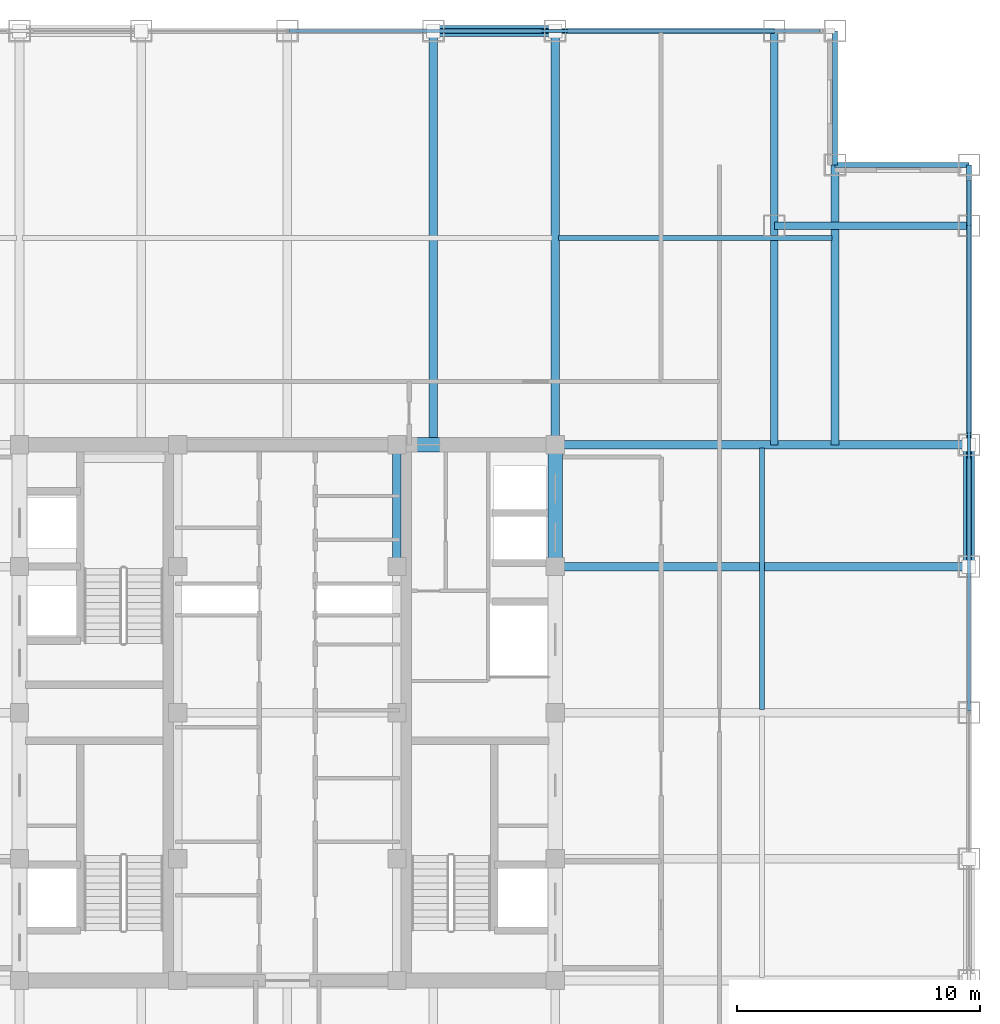
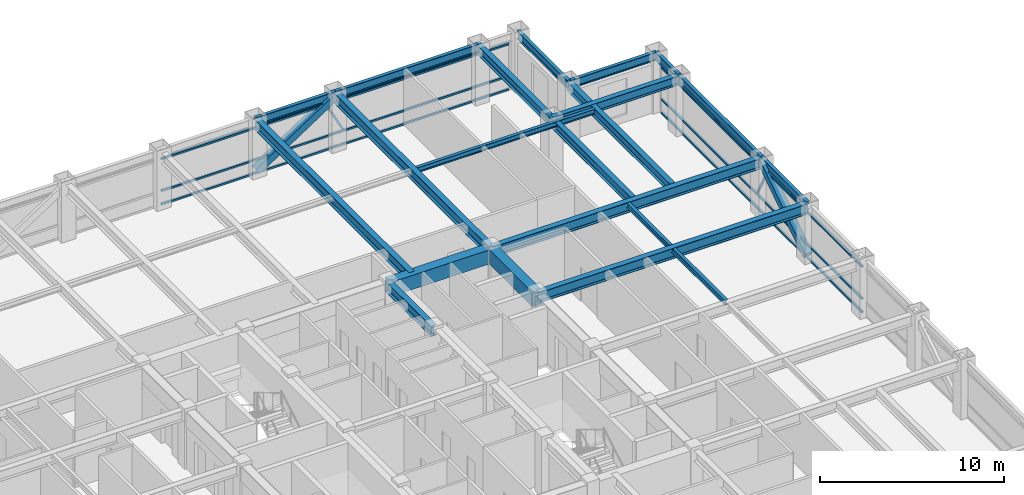
# One storey, part 15 of 22: 19 beams, 10 members, 2 elements without a shape of their own.
"""IFC4 building model written with IfcOpenShell, lengths in metres."""

from ifc_helpers import new_model, si_unit, direction, frame, origin, origin_2d, place, context, subcontext, project, spatial, rectangle, hollow_rectangle, i_section, extrude, source, transform, mapped, material, material_profile, profile_set, type_object, element, aggregate, save


model = new_model("IFC4")

# Units and contexts
model_context = context("Model", 3, precision=1e-05, world=origin(), true_north=direction((0.0, 1.0)))
body_context = subcontext(model_context, "Body", "Model", "MODEL_VIEW")
ifc_project = project(units=[si_unit("LENGTHUNIT", "METRE"), si_unit("AREAUNIT", "SQUARE_METRE"), si_unit("VOLUMEUNIT", "CUBIC_METRE"), si_unit("PLANEANGLEUNIT", "RADIAN"), si_unit("MASSUNIT", "GRAM", prefix="KILO")], contexts=[model_context])

# Site, building, storey
site_placement = place(None, origin())
site = spatial("IfcSite", under=ifc_project, at=site_placement, CompositionType="ELEMENT")
building_placement = place(site_placement, origin())
building = spatial("IfcBuilding", under=site, at=building_placement, Name="Khorayat Bourse Tower", CompositionType="ELEMENT")
storey_placement = place(building_placement, frame((0.0, 0.0, 293.5)))
storey = spatial("IfcBuildingStorey", under=building, at=storey_placement, Name="L69", CompositionType="ELEMENT", Elevation=293.5)

# Beams
ifc_material_1 = material(Name="Steel ASTM A992 Grade 50", Category="steel")
ifc_material_profile_1 = material_profile(ifc_material_1, i_section(OverallWidth=0.35498046875, OverallDepth=0.695068359375, WebThickness=0.015380859375, FlangeThickness=0.02490234375, FilletRadius=0.01806640625, at=origin_2d()), Name="W690X217")
ifc_profile_set_1 = profile_set([ifc_material_profile_1], Name="Steel ASTM A992 Grade 50")
beam_type_1 = type_object("IfcBeamType", Name="BM-GIRD-690", PredefinedType="BEAM", material=ifc_profile_set_1)
shared_shape_1 = source(origin(), body_context, "Body", "SweptSolid", [
    extrude(i_section(OverallWidth=0.35498046875, OverallDepth=0.695068359375, WebThickness=0.015380859375, FlangeThickness=0.02490234375, FilletRadius=0.01806640625, at=origin_2d()), origin(), (0.0, 0.0, 1.0), 5.0),
])
beam_1_placement = place(storey_placement, frame((4.5, 6.0, 3.4326171875), z_axis=(0.0, 1.0, 0.0), x_axis=(-1.0, 0.0, 0.0)))
element("IfcBeam", 1, at=beam_1_placement, inside=storey, type_object=beam_type_1, Name="L69 BM-GIRD-690 BM-L69-CRX-12", PredefinedType="BEAM", context=body_context, shape_type="MappedRepresentation", body=[
    mapped(shared_shape_1, transform((0.0, 0.0, 0.0), scale=1.0)),
])
ifc_material_profile_2 = material_profile(ifc_material_1, i_section(OverallWidth=0.324951171875, OverallDepth=0.615966796875, WebThickness=0.013916015625, FlangeThickness=0.021484375, FilletRadius=0.01611328125, at=origin_2d()), Name="W610X174")
ifc_profile_set_2 = profile_set([ifc_material_profile_2], Name="Steel ASTM A992 Grade 50")
beam_type_2 = type_object("IfcBeamType", Name="BM-GIRD-610", PredefinedType="BEAM", material=ifc_profile_set_2)
shared_shape_2 = source(origin(), body_context, "Body", "SweptSolid", [
    extrude(i_section(OverallWidth=0.324951171875, OverallDepth=0.615966796875, WebThickness=0.013916015625, FlangeThickness=0.021484375, FilletRadius=0.01611328125, at=origin_2d()), origin(), (0.0, 0.0, 1.0), 17.0),
])
beam_2_placement = place(storey_placement, frame((20.0, 11.0, 3.471923828125), z_axis=(0.0, 1.0, 0.0), x_axis=(-1.0, 0.0, 0.0)))
element("IfcBeam", 2, at=beam_2_placement, inside=storey, type_object=beam_type_2, Name="L69 BM-GIRD-610 BM-L69-CNRY-087", PredefinedType="BEAM", context=body_context, shape_type="MappedRepresentation", body=[
    mapped(shared_shape_2, transform((0.0, 0.0, 0.0), scale=1.0)),
])
ifc_material_2 = material(Name="Concrete C60/75", Category="concrete")
ifc_material_profile_3 = material_profile(ifc_material_2, rectangle(XDim=0.60009765625, YDim=0.949951171875, at=origin_2d()), Name="RC 600x950")
ifc_profile_set_3 = profile_set([ifc_material_profile_3], Name="Concrete C60/75")
beam_type_3 = type_object("IfcBeamType", Name="BM-COUP-950", PredefinedType="BEAM", material=ifc_profile_set_3)
shared_shape_3 = source(origin(), body_context, "Body", "SweptSolid", [
    extrude(rectangle(XDim=0.60009765625, YDim=0.949951171875, at=origin_2d()), origin(), (0.0, 0.0, 1.0), 5.0),
])
beam_3_placement = place(storey_placement, frame((11.0, 6.0, 3.304931640625), z_axis=(0.0, 1.0, 0.0), x_axis=(-1.0, 0.0, 0.0)))
element("IfcBeam", 3, at=beam_3_placement, inside=storey, type_object=beam_type_3, Name="L69 BM-COUP-950 BM-L69-CRX-16", PredefinedType="BEAM", context=body_context, shape_type="MappedRepresentation", body=[
    mapped(shared_shape_3, transform((0.0, 0.0, 0.0), scale=1.0)),
])
shared_shape_4 = source(origin(), body_context, "Body", "SweptSolid", [
    extrude(rectangle(XDim=0.60009765625, YDim=0.949951171875, at=origin_2d()), origin(), (0.0, 0.0, 1.0), 6.5),
])
beam_4_placement = place(storey_placement, frame((4.5, 11.0, 3.304931640625), z_axis=(1.0, 0.0, 0.0), x_axis=(0.0, 1.0, 0.0)))
element("IfcBeam", 4, at=beam_4_placement, inside=storey, type_object=beam_type_3, Name="L69 BM-COUP-950 BM-L69-CRY-22", PredefinedType="BEAM", context=body_context, shape_type="MappedRepresentation", body=[
    mapped(shared_shape_4, transform((0.0, 0.0, 0.0), scale=1.0)),
])

# Members
ifc_material_3 = material(Name="Steel EN 10025-4 S460M", Category="steel")
ifc_material_profile_4 = material_profile(ifc_material_3, hollow_rectangle(XDim=0.449951171875, YDim=0.449951171875, WallThickness=0.02490234375, at=origin_2d()), Name="HSS 450x450x25")
ifc_profile_set_4 = profile_set([ifc_material_profile_4], Name="Steel EN 10025-4 S460M")
member_type_1 = type_object("IfcMemberType", Name="MBR-TUBE-450", PredefinedType="BRACE", material=ifc_profile_set_4)
shared_shape_5 = source(origin(), body_context, "Body", "SweptSolid", [
    extrude(hollow_rectangle(XDim=0.449951171875, YDim=0.449951171875, WallThickness=0.02490234375, at=origin_2d()), origin(), (0.0, 0.0, 1.0), 5.979736328125),
])
for number, where, z_axis, x_axis, name in (
    (5, (6.0, 28.0, 0.25), (0.836141536525, 0.0, 0.548513747227), (0.0, 1.0, 0.0), "L69 Perimeter Tube Brace 04"),
    (6, (28.0, 6.0, 0.25), (0.0, 0.836141536525, 0.548513747227), (-1.0, 0.0, 0.0), "L69 Perimeter Tube Brace 08"),
):
    element("IfcMember", number, at=place(storey_placement, frame(where, z_axis=z_axis, x_axis=x_axis)), inside=storey, type_object=member_type_1, Name=name, PredefinedType="BRACE", context=body_context, shape_type="MappedRepresentation", body=[
        mapped(shared_shape_5, transform((0.0, 0.0, 0.0), scale=1.0)),
    ])

# Beams
shared_shape_6 = source(origin(), body_context, "Body", "SweptSolid", [
    extrude(i_section(OverallWidth=0.35498046875, OverallDepth=0.695068359375, WebThickness=0.015380859375, FlangeThickness=0.02490234375, FilletRadius=0.01806640625, at=origin_2d()), origin(), (0.0, 0.0, 1.0), 17.0),
])
for number, where, z_axis, x_axis, name in (
    (7, (6.0, 11.0, 3.4326171875), (0.0, 1.0, 0.0), (-1.0, 0.0, 0.0), "L69 BM-GIRD-690 BM-L69-RADY-070"),
    (8, (11.0, 11.0, 3.4326171875), (0.0, 1.0, 0.0), (-1.0, 0.0, 0.0), "L69 BM-GIRD-690 BM-L69-RADY-072"),
    (9, (11.0, 6.0, 3.4326171875), (1.0, 0.0, 0.0), (0.0, 1.0, 0.0), "L69 BM-GIRD-690 BM-L69-RADX-080"),
    (10, (11.0, 11.0, 3.4326171875), (1.0, 0.0, 0.0), (0.0, 1.0, 0.0), "L69 BM-GIRD-690 BM-L69-RADX-082"),
):
    element("IfcBeam", number, at=place(storey_placement, frame(where, z_axis=z_axis, x_axis=x_axis)), inside=storey, type_object=beam_type_1, Name=name, PredefinedType="BEAM", context=body_context, shape_type="MappedRepresentation", body=[
        mapped(shared_shape_6, transform((0.0, 0.0, 0.0), scale=1.0)),
    ])
shared_shape_7 = source(origin(), body_context, "Body", "SweptSolid", [
    extrude(i_section(OverallWidth=0.324951171875, OverallDepth=0.615966796875, WebThickness=0.013916015625, FlangeThickness=0.021484375, FilletRadius=0.01611328125, at=origin_2d()), origin(), (0.0, 0.0, 1.0), 11.5),
])
beam_5_placement = place(storey_placement, frame((22.5, 11.0, 3.471923828125), z_axis=(0.0, 1.0, 0.0), x_axis=(-1.0, 0.0, 0.0)))
element("IfcBeam", 11, at=beam_5_placement, inside=storey, type_object=beam_type_2, Name="L69 BM-GIRD-610 BM-L69-CNRY-091", PredefinedType="BEAM", context=body_context, shape_type="MappedRepresentation", body=[
    mapped(shared_shape_7, transform((0.0, 0.0, 0.0), scale=1.0)),
])
shared_shape_8 = source(origin(), body_context, "Body", "SweptSolid", [
    extrude(i_section(OverallWidth=0.324951171875, OverallDepth=0.615966796875, WebThickness=0.013916015625, FlangeThickness=0.021484375, FilletRadius=0.01611328125, at=origin_2d()), origin(), (0.0, 0.0, 1.0), 8.0),
])
beam_6_placement = place(storey_placement, frame((20.0, 20.0, 3.471923828125), z_axis=(1.0, 0.0, 0.0), x_axis=(0.0, 1.0, 0.0)))
element("IfcBeam", 12, at=beam_6_placement, inside=storey, type_object=beam_type_2, Name="L69 BM-GIRD-610 BM-L69-CNRX-094", PredefinedType="BEAM", context=body_context, shape_type="MappedRepresentation", body=[
    mapped(shared_shape_8, transform((0.0, 0.0, 0.0), scale=1.0)),
])
ifc_material_profile_5 = material_profile(ifc_material_1, i_section(OverallWidth=0.202880859375, OverallDepth=0.346923828125, WebThickness=0.0078125, FlangeThickness=0.013427734375, FilletRadius=0.010009765625, at=origin_2d()), Name="W360X64")
ifc_profile_set_5 = profile_set([ifc_material_profile_5], Name="Steel ASTM A992 Grade 50")
beam_type_4 = type_object("IfcBeamType", Name="BM-JOIST-360", PredefinedType="JOIST", material=ifc_profile_set_5)
shared_shape_9 = source(origin(), body_context, "Body", "SweptSolid", [
    extrude(i_section(OverallWidth=0.202880859375, OverallDepth=0.346923828125, WebThickness=0.0078125, FlangeThickness=0.013427734375, FilletRadius=0.010009765625, at=origin_2d()), origin(), (0.0, 0.0, 1.0), 11.240234375),
])
beam_7_placement = place(storey_placement, frame((11.1298828125, 19.5, 3.6064453125), z_axis=(1.0, 0.0, 0.0), x_axis=(0.0, 1.0, 0.0)))
element("IfcBeam", 13, at=beam_7_placement, inside=storey, type_object=beam_type_4, Name="L69 BM-JOIST-360 BM-L69-JSTX-101", PredefinedType="JOIST", context=body_context, shape_type="MappedRepresentation", body=[
    mapped(shared_shape_9, transform((0.0, 0.0, 0.0), scale=1.0)),
])
shared_shape_10 = source(origin(), body_context, "Body", "SweptSolid", [
    extrude(i_section(OverallWidth=0.202880859375, OverallDepth=0.346923828125, WebThickness=0.0078125, FlangeThickness=0.013427734375, FilletRadius=0.010009765625, at=origin_2d()), origin(), (0.0, 0.0, 1.0), 10.740234375),
])
beam_8_placement = place(storey_placement, frame((19.5, 0.1298828125, 3.6064453125), z_axis=(0.0, 1.0, 0.0), x_axis=(-1.0, 0.0, 0.0)))
element("IfcBeam", 14, at=beam_8_placement, inside=storey, type_object=beam_type_4, Name="L69 BM-JOIST-360 BM-L69-JSTY-105", PredefinedType="JOIST", context=body_context, shape_type="MappedRepresentation", body=[
    mapped(shared_shape_10, transform((0.0, 0.0, 0.0), scale=1.0)),
])
ifc_material_profile_6 = material_profile(ifc_material_1, i_section(OverallWidth=0.214111328125, OverallDepth=0.549072265625, WebThickness=0.0146484375, FlangeThickness=0.023681640625, FilletRadius=0.013916015625, at=origin_2d()), Name="W530X138")
ifc_profile_set_6 = profile_set([ifc_material_profile_6], Name="Steel ASTM A992 Grade 50")
beam_type_5 = type_object("IfcBeamType", Name="BM-SPAN-530", PredefinedType="SPANDREL", material=ifc_profile_set_6)
shared_shape_11 = source(origin(), body_context, "Body", "SweptSolid", [
    extrude(i_section(OverallWidth=0.214111328125, OverallDepth=0.549072265625, WebThickness=0.0146484375, FlangeThickness=0.023681640625, FilletRadius=0.013916015625, at=origin_2d()), origin(), (0.0, 0.0, 1.0), 2.5),
])
beam_9_placement = place(storey_placement, frame((28.0, 20.0, 3.505615234375), z_axis=(0.0, 1.0, 0.0), x_axis=(-1.0, 0.0, 0.0)))
element("IfcBeam", 15, at=beam_9_placement, inside=storey, type_object=beam_type_5, Name="L69 BM-SPAN-530 BM-L69-SPN-041", PredefinedType="SPANDREL", context=body_context, shape_type="MappedRepresentation", body=[
    mapped(shared_shape_11, transform((0.0, 0.0, 0.0), scale=1.0)),
])
shared_shape_12 = source(origin(), body_context, "Body", "SweptSolid", [
    extrude(i_section(OverallWidth=0.214111328125, OverallDepth=0.549072265625, WebThickness=0.0146484375, FlangeThickness=0.023681640625, FilletRadius=0.013916015625, at=origin_2d()), origin(), (0.0, 0.0, 1.0), 9.0),
])
for number, where, z_axis, x_axis, name in (
    (16, (28.0, 11.0, 3.505615234375), (0.0, 1.0, 0.0), (-1.0, 0.0, 0.0), "L69 BM-SPAN-530 BM-L69-SPN-040"),
    (17, (11.0, 28.0, 3.505615234375), (1.0, 0.0, 0.0), (0.0, 1.0, 0.0), "L69 BM-SPAN-530 BM-L69-SPN-045"),
):
    element("IfcBeam", number, at=place(storey_placement, frame(where, z_axis=z_axis, x_axis=x_axis)), inside=storey, type_object=beam_type_5, Name=name, PredefinedType="SPANDREL", context=body_context, shape_type="MappedRepresentation", body=[
        mapped(shared_shape_12, transform((0.0, 0.0, 0.0), scale=1.0)),
    ])
shared_shape_13 = source(origin(), body_context, "Body", "SweptSolid", [
    extrude(i_section(OverallWidth=0.214111328125, OverallDepth=0.549072265625, WebThickness=0.0146484375, FlangeThickness=0.023681640625, FilletRadius=0.013916015625, at=origin_2d()), origin(), (0.0, 0.0, 1.0), 5.0),
])
for number, where, z_axis, x_axis, name in (
    (18, (28.0, 6.0, 3.505615234375), (0.0, 1.0, 0.0), (-1.0, 0.0, 0.0), "L69 BM-SPAN-530 BM-L69-SPN-039"),
    (19, (6.0, 28.0, 3.505615234375), (1.0, 0.0, 0.0), (0.0, 1.0, 0.0), "L69 BM-SPAN-530 BM-L69-SPN-046"),
):
    element("IfcBeam", number, at=place(storey_placement, frame(where, z_axis=z_axis, x_axis=x_axis)), inside=storey, type_object=beam_type_5, Name=name, PredefinedType="SPANDREL", context=body_context, shape_type="MappedRepresentation", body=[
        mapped(shared_shape_13, transform((0.0, 0.0, 0.0), scale=1.0)),
    ])
shared_shape_14 = source(origin(), body_context, "Body", "SweptSolid", [
    extrude(i_section(OverallWidth=0.214111328125, OverallDepth=0.549072265625, WebThickness=0.0146484375, FlangeThickness=0.023681640625, FilletRadius=0.013916015625, at=origin_2d()), origin(), (0.0, 0.0, 1.0), 5.5),
])
for number, where, z_axis, x_axis, name in (
    (20, (22.5, 22.5, 3.505615234375), (1.0, 0.0, 0.0), (0.0, 1.0, 0.0), "L69 BM-SPAN-530 BM-L69-SPN-042"),
    (21, (22.5, 22.5, 3.505615234375), (0.0, 1.0, 0.0), (-1.0, 0.0, 0.0), "L69 BM-SPAN-530 BM-L69-SPN-043"),
):
    element("IfcBeam", number, at=place(storey_placement, frame(where, z_axis=z_axis, x_axis=x_axis)), inside=storey, type_object=beam_type_5, Name=name, PredefinedType="SPANDREL", context=body_context, shape_type="MappedRepresentation", body=[
        mapped(shared_shape_14, transform((0.0, 0.0, 0.0), scale=1.0)),
    ])

# Curtain wall, member
ifc_material_4 = material(Name="Aluminium EN AW-6063 T6", Category="aluminium")
curtain_wall_type = type_object("IfcCurtainWallType", Name="CW-SYS-04", PredefinedType="NOTDEFINED", material=ifc_material_4)
curtain_wall_1_placement = place(storey_placement, origin())
curtain_wall_1 = element("IfcCurtainWall", 22, at=curtain_wall_1_placement, inside=storey, type_object=curtain_wall_type, Name="L69 Curtain Wall CW-L69-N1", PredefinedType="NOTDEFINED")
ifc_material_profile_7 = material_profile(ifc_material_4, hollow_rectangle(XDim=0.1201171875, YDim=0.1201171875, WallThickness=0.0048828125, at=origin_2d()), Name="ALU 120x120x5")
ifc_profile_set_7 = profile_set([ifc_material_profile_7], Name="Aluminium EN AW-6063 T6")
member_type_2 = type_object("IfcMemberType", Name="CWM-DIAG-120", PredefinedType="MULLION", material=ifc_profile_set_7)
shared_shape_15 = source(origin(), body_context, "Body", "SweptSolid", [
    extrude(hollow_rectangle(XDim=0.1201171875, YDim=0.1201171875, WallThickness=0.0048828125, at=origin_2d()), origin(), (0.0, 0.0, 1.0), 2.0791015625),
])
member_1_placement = place(storey_placement, frame((11.4541015625, 28.0, 1.090087890625), z_axis=(-0.465717394116, 0.0, 0.884933505309), x_axis=(0.0, -1.0, 0.0)))
member_1 = element("IfcMember", 23, at=member_1_placement, type_object=member_type_2, Name="CW-L69-N1 Faceted Diagonal Mullion 2", PredefinedType="MULLION", context=body_context, shape_type="MappedRepresentation", body=[
    mapped(shared_shape_15, transform((0.0, 0.0, 0.0), scale=1.0)),
])

curtain_wall_2_placement = place(storey_placement, origin())
curtain_wall_2 = element("IfcCurtainWall", 24, at=curtain_wall_2_placement, inside=storey, type_object=curtain_wall_type, Name="L69 Curtain Wall CW-L69-E1", PredefinedType="NOTDEFINED")
member_2_placement = place(storey_placement, frame((28.0, 11.4541015625, 1.090087890625), z_axis=(0.0, -0.465717394116, 0.884933505309), x_axis=(1.0, 0.0, 0.0)))
member_2 = element("IfcMember", 25, at=member_2_placement, type_object=member_type_2, Name="CW-L69-E1 Faceted Diagonal Mullion 2", PredefinedType="MULLION", context=body_context, shape_type="MappedRepresentation", body=[
    mapped(shared_shape_15, transform((0.0, 0.0, 0.0), scale=1.0)),
])

# Member
ifc_material_profile_8 = material_profile(ifc_material_4, hollow_rectangle(XDim=0.1201171875, YDim=0.1201171875, WallThickness=0.0048828125, at=origin_2d()), Name="ALU 120x120x5")
ifc_profile_set_8 = profile_set([ifc_material_profile_8], Name="Aluminium EN AW-6063 T6")
member_type_3 = type_object("IfcMemberType", Name="CWT-HORZ-120", PredefinedType="USERDEFINED", material=ifc_profile_set_8)
shared_shape_16 = source(origin(), body_context, "Body", "SweptSolid", [
    extrude(hollow_rectangle(XDim=0.1201171875, YDim=0.1201171875, WallThickness=0.0048828125, at=origin_2d()), origin(), (0.0, 0.0, 1.0), 21.81982421875),
])
member_3_placement = place(storey_placement, frame((0.06005859375, 28.0, 0.06005859375), z_axis=(1.0, 0.0, 0.0), x_axis=(0.0, 1.0, 0.0)))
member_3 = element("IfcMember", 26, at=member_3_placement, type_object=member_type_3, Name="CW-L69-N1 Horizontal Transom 2-1", ObjectType="TRANSOM", PredefinedType="USERDEFINED", context=body_context, shape_type="MappedRepresentation", body=[
    mapped(shared_shape_16, transform((0.0, 0.0, 0.0), scale=1.0)),
])

member_4_placement = place(storey_placement, frame((0.06005859375, 28.0, 0.949951171875), z_axis=(1.0, 0.0, 0.0), x_axis=(0.0, 1.0, 0.0)))
member_4 = element("IfcMember", 27, at=member_4_placement, type_object=member_type_3, Name="CW-L69-N1 Horizontal Transom 2-2", ObjectType="TRANSOM", PredefinedType="USERDEFINED", context=body_context, shape_type="MappedRepresentation", body=[
    mapped(shared_shape_16, transform((0.0, 0.0, 0.0), scale=1.0)),
])

member_5_placement = place(storey_placement, frame((0.06005859375, 28.0, 3.070068359375), z_axis=(1.0, 0.0, 0.0), x_axis=(0.0, 1.0, 0.0)))
member_5 = element("IfcMember", 28, at=member_5_placement, type_object=member_type_3, Name="CW-L69-N1 Horizontal Transom 2-3", ObjectType="TRANSOM", PredefinedType="USERDEFINED", context=body_context, shape_type="MappedRepresentation", body=[
    mapped(shared_shape_16, transform((0.0, 0.0, 0.0), scale=1.0)),
])

aggregate(curtain_wall_1, [member_3, member_4, member_5, member_1])

member_6_placement = place(storey_placement, frame((28.0, 0.06005859375, 0.06005859375), z_axis=(0.0, 1.0, 0.0), x_axis=(-1.0, 0.0, 0.0)))
member_6 = element("IfcMember", 29, at=member_6_placement, type_object=member_type_3, Name="CW-L69-E1 Horizontal Transom 2-1", ObjectType="TRANSOM", PredefinedType="USERDEFINED", context=body_context, shape_type="MappedRepresentation", body=[
    mapped(shared_shape_16, transform((0.0, 0.0, 0.0), scale=1.0)),
])

member_7_placement = place(storey_placement, frame((28.0, 0.06005859375, 0.949951171875), z_axis=(0.0, 1.0, 0.0), x_axis=(-1.0, 0.0, 0.0)))
member_7 = element("IfcMember", 30, at=member_7_placement, type_object=member_type_3, Name="CW-L69-E1 Horizontal Transom 2-2", ObjectType="TRANSOM", PredefinedType="USERDEFINED", context=body_context, shape_type="MappedRepresentation", body=[
    mapped(shared_shape_16, transform((0.0, 0.0, 0.0), scale=1.0)),
])

member_8_placement = place(storey_placement, frame((28.0, 0.06005859375, 3.070068359375), z_axis=(0.0, 1.0, 0.0), x_axis=(-1.0, 0.0, 0.0)))
member_8 = element("IfcMember", 31, at=member_8_placement, type_object=member_type_3, Name="CW-L69-E1 Horizontal Transom 2-3", ObjectType="TRANSOM", PredefinedType="USERDEFINED", context=body_context, shape_type="MappedRepresentation", body=[
    mapped(shared_shape_16, transform((0.0, 0.0, 0.0), scale=1.0)),
])

aggregate(curtain_wall_2, [member_6, member_7, member_8, member_2])

save(model, "model.ifc")
